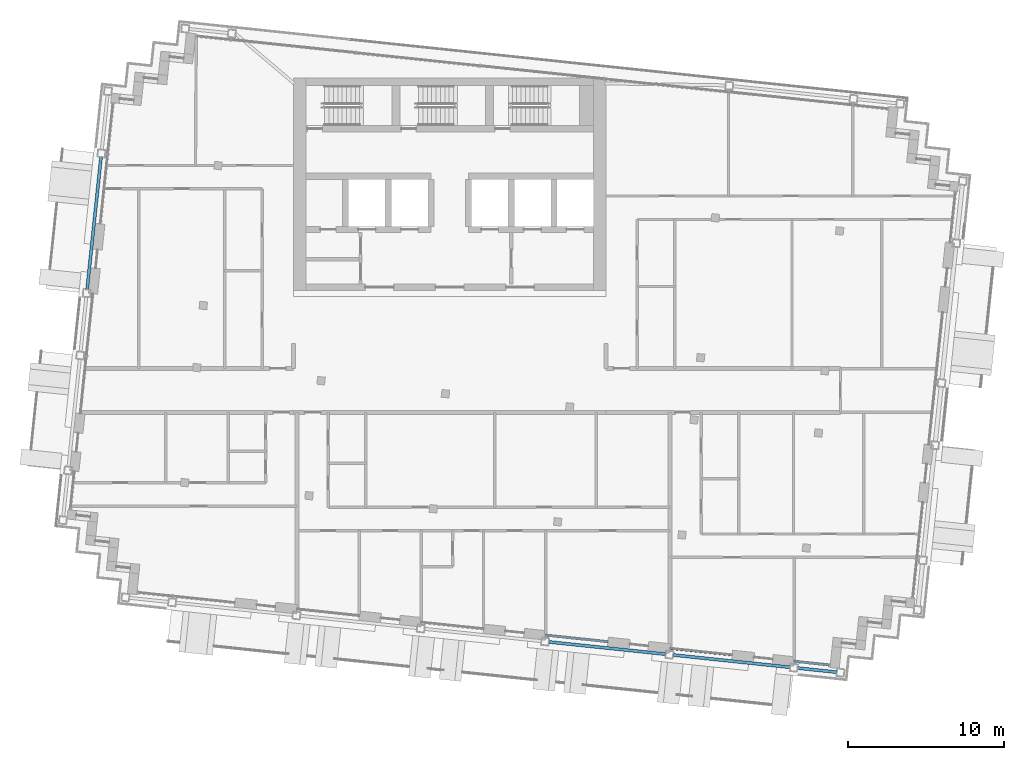
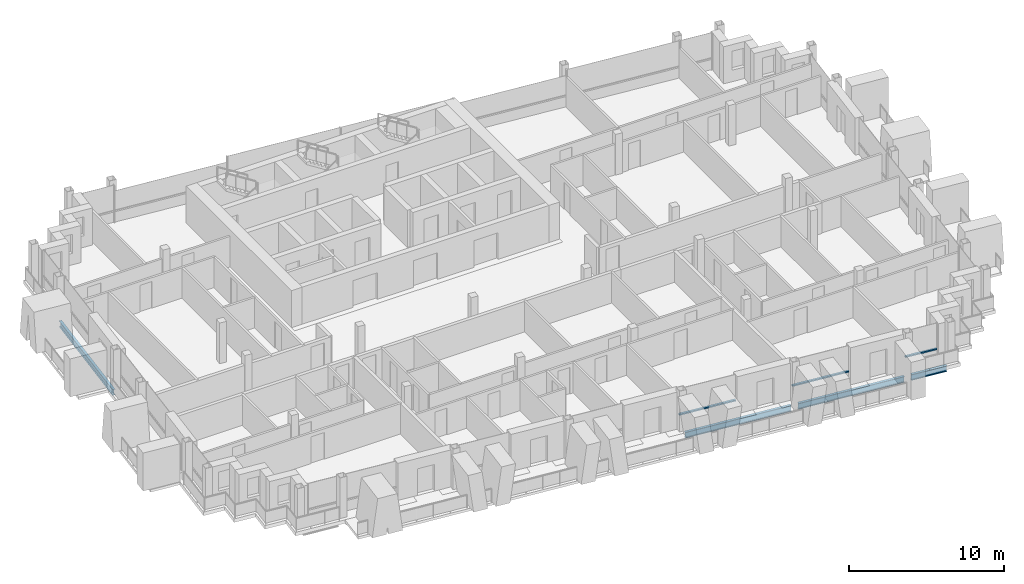
# One storey, part 3 of 16: 4 beams, 3 members, 3 elements without a shape of their own.
"""IFC4 building model written with IfcOpenShell, lengths in metres."""

from ifc_helpers import new_model, si_unit, direction, frame, origin, origin_2d, place, context, subcontext, project, spatial, rectangle, i_section, extrude, material, material_profile, profile_set, type_object, element, aggregate, save


model = new_model("IFC4")

# Units and contexts
model_context = context("Model", 3, precision=1e-05, world=origin(), true_north=direction((0.0, 1.0)))
body_context = subcontext(model_context, "Body", "Model", "MODEL_VIEW")
ifc_project = project(units=[si_unit("LENGTHUNIT", "METRE"), si_unit("AREAUNIT", "SQUARE_METRE"), si_unit("VOLUMEUNIT", "CUBIC_METRE"), si_unit("PLANEANGLEUNIT", "RADIAN"), si_unit("MASSUNIT", "GRAM", prefix="KILO")], contexts=[model_context])

# Site, building, storey
site_placement = place(None, origin())
site = spatial("IfcSite", under=ifc_project, at=site_placement, CompositionType="ELEMENT")
building_placement = place(site_placement, origin())
building = spatial("IfcBuilding", under=site, at=building_placement, Name="Vidyagriha Tower", CompositionType="ELEMENT")
storey_placement = place(building_placement, frame((0.0, 0.0, 259.5)))
storey = spatial("IfcBuildingStorey", under=building, at=storey_placement, Name="L67", CompositionType="ELEMENT", Elevation=259.5)

# Beams
ifc_material_1 = material(Name="Steel ASTM A992 Grade 50", Category="steel")
ifc_material_profile_1 = material_profile(ifc_material_1, i_section(OverallWidth=0.19189453125, OverallDepth=0.46240234375, WebThickness=0.010498046875, FlangeThickness=0.017578125, at=origin_2d()), Name="W18X60")
ifc_profile_set_1 = profile_set([ifc_material_profile_1], Name="Steel ASTM A992 Grade 50")
beam_type = type_object("IfcBeamType", Name="Edge beam W18X60", PredefinedType="SPANDREL", material=ifc_profile_set_1)
for number, where, z_axis, x_axis, name in (
    (1, (6.3486328125, -16.091064453125, -0.51123046875), (0.994522384662, -0.104523807841, 0.0), (0.104523807841, 0.994522384662, 0.0), "st-beam-L67-S05"),
    (2, (14.304931640625, -16.92724609375, -0.51123046875), (0.994522384662, -0.104523807841, 0.0), (0.104523807841, 0.994522384662, 0.0), "st-beam-L67-S06"),
):
    element("IfcBeam", number, at=place(storey_placement, frame(where, z_axis=z_axis, x_axis=x_axis)), inside=storey, type_object=beam_type, Name=name, PredefinedType="SPANDREL", context=body_context, shape_type="SweptSolid", body=[
        extrude(i_section(OverallWidth=0.19189453125, OverallDepth=0.46240234375, WebThickness=0.010498046875, FlangeThickness=0.017578125, at=origin_2d()), origin(), (0.0, 0.0, 1.0), 7.5),
    ])
beam_1_placement = place(storey_placement, frame((22.260986328125, -17.763427734375, -0.51123046875), z_axis=(0.994515615024, -0.104588199498, 0.0), x_axis=(0.104588199498, 0.994515615024, 0.0)))
element("IfcBeam", 3, at=beam_1_placement, inside=storey, type_object=beam_type, Name="st-beam-L67-S07", PredefinedType="SPANDREL", context=body_context, shape_type="SweptSolid", body=[
    extrude(i_section(OverallWidth=0.19189453125, OverallDepth=0.46240234375, WebThickness=0.010498046875, FlangeThickness=0.017578125, at=origin_2d()), origin(), (0.0, 0.0, 1.0), 2.5),
])
beam_2_placement = place(storey_placement, frame((-23.20458984375, 6.4716796875, -0.51123046875), z_axis=(0.104518825829, 0.994522908257, 0.0), x_axis=(-0.994522908257, 0.104518825829, 0.0)))
element("IfcBeam", 4, at=beam_2_placement, inside=storey, type_object=beam_type, Name="st-beam-L67-W11", PredefinedType="SPANDREL", context=body_context, shape_type="SweptSolid", body=[
    extrude(i_section(OverallWidth=0.19189453125, OverallDepth=0.46240234375, WebThickness=0.010498046875, FlangeThickness=0.017578125, at=origin_2d()), origin(), (0.0, 0.0, 1.0), 8.500244140625),
])

# Curtain wall, member
ifc_material_2 = material(Name="Aluminium and glass curtain wall", Category="aluminium")
curtain_wall_type = type_object("IfcCurtainWallType", Name="Dwelling skin unitised curtain wall", PredefinedType="USERDEFINED", material=ifc_material_2)
curtain_wall_1_placement = place(storey_placement, origin())
curtain_wall_1 = element("IfcCurtainWall", 5, at=curtain_wall_1_placement, inside=storey, type_object=curtain_wall_type, Name="CW1 dwelling skin", ObjectType="UNITISED", PredefinedType="USERDEFINED")
ifc_material_3 = material(Name="Aluminium black anodised", Category="aluminium")
ifc_material_profile_2 = material_profile(ifc_material_3, rectangle(XDim=0.159912109375, YDim=0.10009765625, at=origin_2d()), Name="Transom 100x160 black aluminium")
ifc_profile_set_2 = profile_set([ifc_material_profile_2], Name="Aluminium black anodised")
member_type = type_object("IfcMemberType", Name="Transom 100x160 black aluminium", PredefinedType="USERDEFINED", material=ifc_profile_set_2)
member_1_placement = place(storey_placement, frame((6.141845703125, -15.6669921875, 0.89990234375), z_axis=(0.99451982373, -0.104548171712, 0.0), x_axis=(0.104548171712, 0.99451982373, 0.0)))
member_1 = element("IfcMember", 6, at=member_1_placement, type_object=member_type, Name="CW1 transom 1.1", ObjectType="TRANSOM", PredefinedType="USERDEFINED", context=body_context, shape_type="SweptSolid", body=[
    extrude(rectangle(XDim=0.159912109375, YDim=0.10009765625, at=origin_2d()), origin(), (0.0, 0.0, 1.0), 4.000244140625),
])
aggregate(curtain_wall_1, [member_1])

curtain_wall_2_placement = place(storey_placement, origin())
curtain_wall_2 = element("IfcCurtainWall", 7, at=curtain_wall_2_placement, inside=storey, type_object=curtain_wall_type, Name="CW1 dwelling skin", ObjectType="UNITISED", PredefinedType="USERDEFINED")
member_2_placement = place(storey_placement, frame((14.09814453125, -16.50341796875, 0.89990234375), z_axis=(0.99452550138, -0.104494148666, 0.0), x_axis=(0.104494148666, 0.99452550138, 0.0)))
member_2 = element("IfcMember", 8, at=member_2_placement, type_object=member_type, Name="CW1 transom 1.1", ObjectType="TRANSOM", PredefinedType="USERDEFINED", context=body_context, shape_type="SweptSolid", body=[
    extrude(rectangle(XDim=0.159912109375, YDim=0.10009765625, at=origin_2d()), origin(), (0.0, 0.0, 1.0), 4.0),
])
aggregate(curtain_wall_2, [member_2])

curtain_wall_3_placement = place(storey_placement, origin())
curtain_wall_3 = element("IfcCurtainWall", 9, at=curtain_wall_3_placement, inside=storey, type_object=curtain_wall_type, Name="CW1 dwelling skin", ObjectType="UNITISED", PredefinedType="USERDEFINED")
member_3_placement = place(storey_placement, frame((22.05419921875, -17.339599609375, 0.89990234375), z_axis=(0.994530619876, -0.10444542177, 0.0), x_axis=(0.10444542177, 0.994530619876, 0.0)))
member_3 = element("IfcMember", 10, at=member_3_placement, type_object=member_type, Name="CW1 transom 1.1", ObjectType="TRANSOM", PredefinedType="USERDEFINED", context=body_context, shape_type="SweptSolid", body=[
    extrude(rectangle(XDim=0.159912109375, YDim=0.10009765625, at=origin_2d()), origin(), (0.0, 0.0, 1.0), 2.22998046875),
])
aggregate(curtain_wall_3, [member_3])

save(model, "model.ifc")
